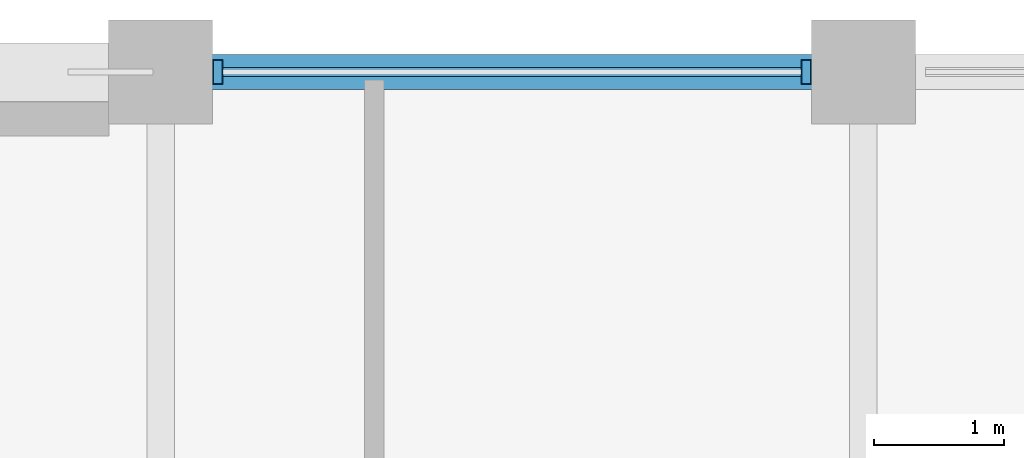
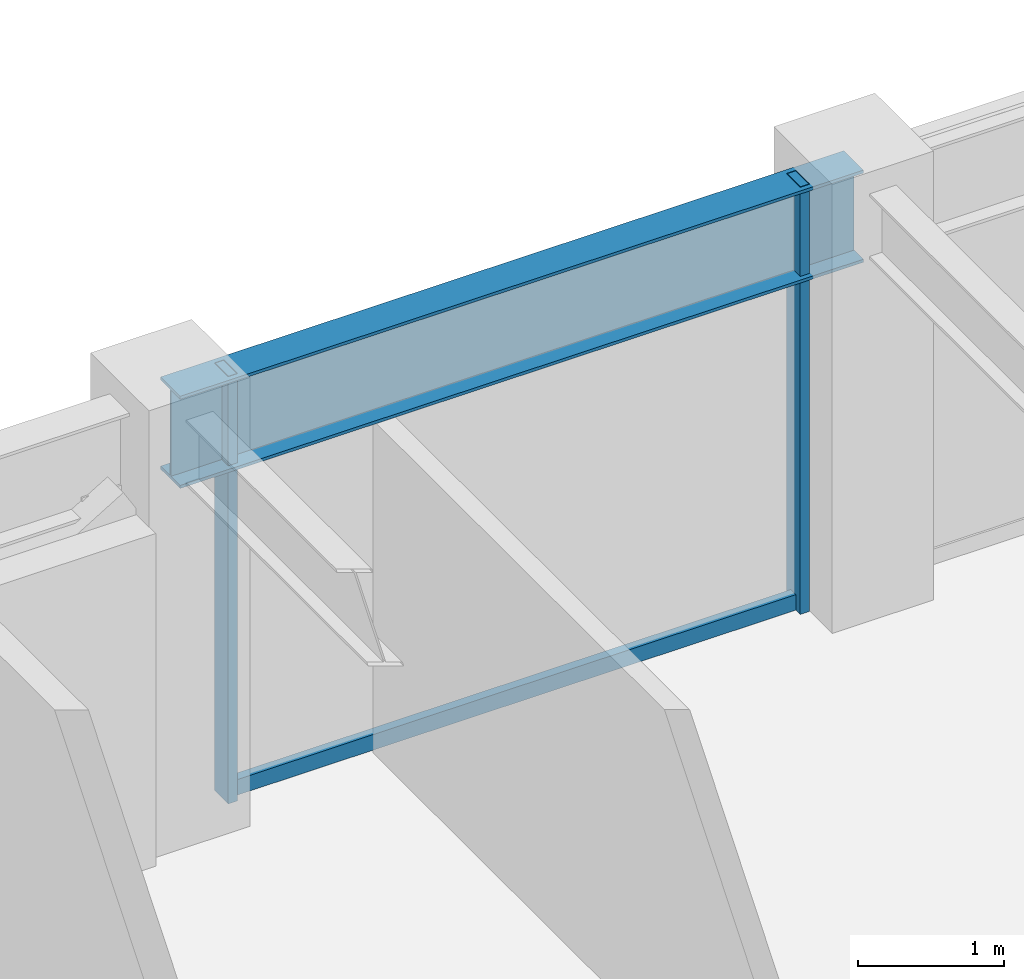
# One storey, part 20 of 30: 3 members, 1 beam, 1 element without a shape of its own.
"""IFC4 building model written with IfcOpenShell, lengths in metres."""

from ifc_helpers import new_model, si_unit, direction, frame, origin, origin_2d, place, context, subcontext, project, spatial, hollow_rectangle, i_section, extrude, material, layer, layer_set, material_profile, profile_set, type_object, element, aggregate, save


model = new_model("IFC4")

# Units and contexts
model_context = context("Model", 3, precision=1e-05, world=origin(), true_north=direction((0.0, 1.0)))
body_context = subcontext(model_context, "Body", "Model", "MODEL_VIEW")
ifc_project = project(units=[si_unit("LENGTHUNIT", "METRE"), si_unit("AREAUNIT", "SQUARE_METRE"), si_unit("VOLUMEUNIT", "CUBIC_METRE"), si_unit("PLANEANGLEUNIT", "RADIAN"), si_unit("MASSUNIT", "GRAM", prefix="KILO")], contexts=[model_context])

# Site, building, storey
site_placement = place(None, origin())
site = spatial("IfcSite", under=ifc_project, at=site_placement, CompositionType="ELEMENT")
building_placement = place(site_placement, origin())
building = spatial("IfcBuilding", under=site, at=building_placement, Name="Surkhivell Harbour Commons", CompositionType="ELEMENT")
storey_placement = place(building_placement, frame((0.0, 0.0, 227.25)))
storey = spatial("IfcBuildingStorey", under=building, at=storey_placement, Name="L59", CompositionType="ELEMENT", Elevation=227.25)

# Beam
ifc_material_1 = material(Name="Steel S355", Category="steel")
ifc_material_profile_1 = material_profile(ifc_material_1, i_section(OverallWidth=0.26806640625, OverallDepth=0.77001953125, WebThickness=0.015625, FlangeThickness=0.025390625, at=origin_2d()), Name="UB762x267x197")
ifc_profile_set_1 = profile_set([ifc_material_profile_1], Name="Steel S355")
beam_type = type_object("IfcBeamType", Name="BM-SPN-762", PredefinedType="SPANDREL", material=ifc_profile_set_1)
beam_placement = place(storey_placement, frame((5.39990234375, 25.89990234375, 3.18505859375), z_axis=(1.0, 0.0, 0.0), x_axis=(0.0, 1.0, 0.0)))
element("IfcBeam", 1, at=beam_placement, inside=storey, type_object=beam_type, Name="L59 Tube Spandrel (5.4,25.9)", PredefinedType="SPANDREL", context=body_context, shape_type="SweptSolid", body=[
    extrude(i_section(OverallWidth=0.26806640625, OverallDepth=0.77001953125, WebThickness=0.015625, FlangeThickness=0.025390625, at=origin_2d()), origin(), (0.0, 0.0, 1.0), 5.400146484375),
])

# Curtain wall, members
ifc_material_2 = material(Name="Anodised pale-metal aluminium and insulated glazing", Category="aluminium")
ifc_layer = layer(ifc_material_2, 0.18994140625)
ifc_layer_set = layer_set([ifc_layer], Name="Anodised pale-metal aluminium and insulated glazing")
curtain_wall_type = type_object("IfcCurtainWallType", Name="CW-SYS-Z3", PredefinedType="NOTDEFINED", material=ifc_layer_set)
curtain_wall_placement = place(storey_placement, origin())
curtain_wall = element("IfcCurtainWall", 2, at=curtain_wall_placement, inside=storey, type_object=curtain_wall_type, Name="L59 Curtain Wall CW-L59-E07S1", PredefinedType="NOTDEFINED")
ifc_material_3 = material(Name="Anodised pale-metal aluminium alloy 6063-T6", Category="aluminium")
ifc_material_profile_2 = material_profile(ifc_material_3, hollow_rectangle(XDim=0.074951171875, YDim=0.18994140625, WallThickness=0.00390625, at=origin_2d()), Name="ALU-MULL-75x190")
ifc_profile_set_2 = profile_set([ifc_material_profile_2], Name="Anodised pale-metal aluminium alloy 6063-T6")
member_type_1 = type_object("IfcMemberType", Name="CWM-190", PredefinedType="MULLION", material=ifc_profile_set_2)
member_1_placement = place(storey_placement, frame((10.360595703125, 25.89990234375, 0.0), z_axis=(0.0, 0.0, 1.0), x_axis=(-1.0, 0.0, 0.0)))
member_1 = element("IfcMember", 3, at=member_1_placement, type_object=member_type_1, Name="CW-Z3 mullion 2", PredefinedType="MULLION", context=body_context, shape_type="SweptSolid", body=[
    extrude(hollow_rectangle(XDim=0.074951171875, YDim=0.18994140625, WallThickness=0.00390625, at=origin_2d()), origin(), (0.0, 0.0, 1.0), 3.570068359375),
])
member_2_placement = place(storey_placement, frame((5.839599609375, 25.89990234375, 0.0), z_axis=(0.0, 0.0, 1.0), x_axis=(-1.0, 0.0, 0.0)))
member_2 = element("IfcMember", 4, at=member_2_placement, type_object=member_type_1, Name="CW-Z3 mullion 3", PredefinedType="MULLION", context=body_context, shape_type="SweptSolid", body=[
    extrude(hollow_rectangle(XDim=0.074951171875, YDim=0.18994140625, WallThickness=0.00390625, at=origin_2d()), origin(), (0.0, 0.0, 1.0), 3.570068359375),
])
ifc_material_4 = material(Name="Champagne anodised aluminium alloy 6063-T6", Category="aluminium")
ifc_material_profile_3 = material_profile(ifc_material_4, hollow_rectangle(XDim=0.070068359375, YDim=0.1298828125, WallThickness=0.00341796875, at=origin_2d()), Name="ALU-TRAN-70x130")
ifc_profile_set_3 = profile_set([ifc_material_profile_3], Name="Champagne anodised aluminium alloy 6063-T6")
member_type_2 = type_object("IfcMemberType", Name="CWT-130", PredefinedType="USERDEFINED", material=ifc_profile_set_3)
member_3_placement = place(storey_placement, frame((10.322998046875, 25.89990234375, 0.06494140625), z_axis=(-1.0, 0.0, 0.0), x_axis=(0.0, -1.0, 0.0)))
member_3 = element("IfcMember", 5, at=member_3_placement, type_object=member_type_2, Name="CW-Z3 transom 2.1", ObjectType="TRANSOM", PredefinedType="USERDEFINED", context=body_context, shape_type="SweptSolid", body=[
    extrude(hollow_rectangle(XDim=0.070068359375, YDim=0.1298828125, WallThickness=0.00341796875, at=origin_2d()), origin(), (0.0, 0.0, 1.0), 4.446044921875),
])
aggregate(curtain_wall, [member_1, member_2, member_3])

save(model, "model.ifc")
